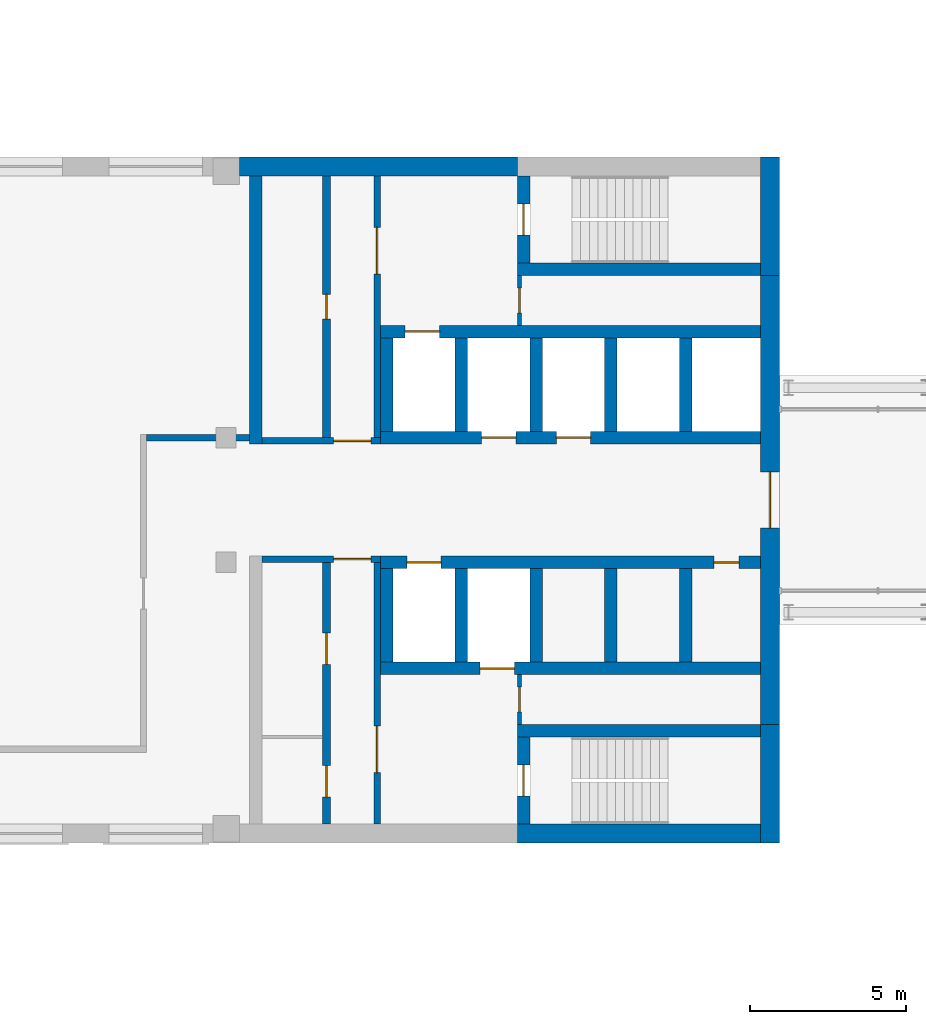
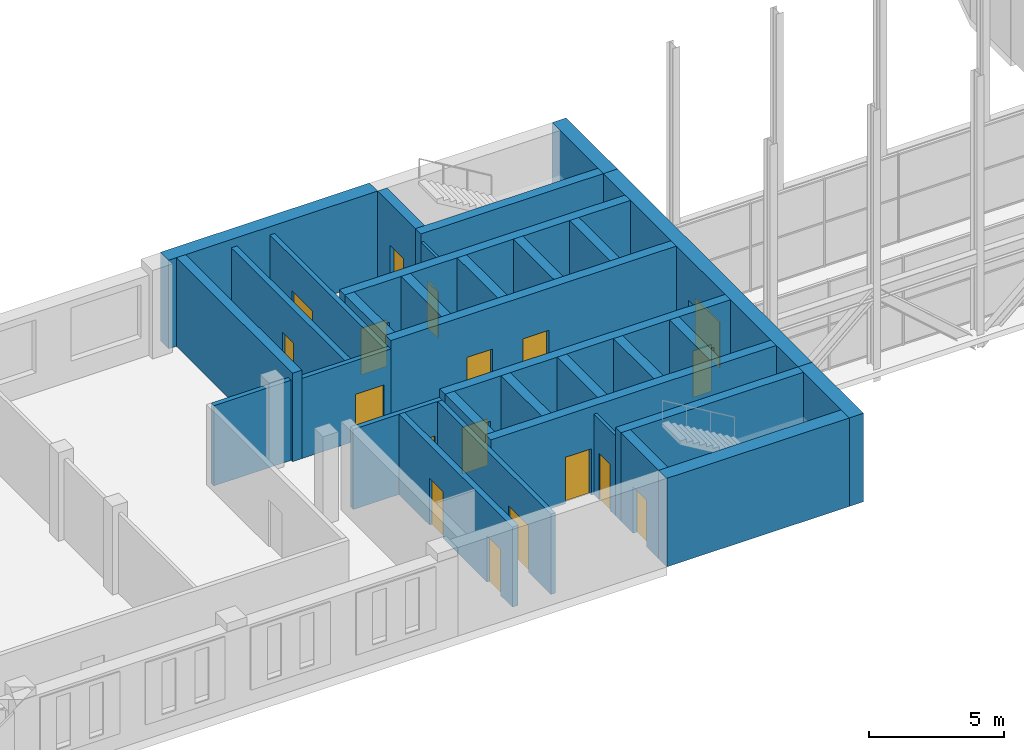
# One storey, part 7 of 11: 33 walls, 18 doors, 18 openings.
"""IFC4 building model written with IfcOpenShell, lengths in metres."""

from ifc_helpers import new_model, si_unit, direction, frame, frame_2d, origin, place, context, subcontext, project, spatial, rectangle, extrude, material, layer, layer_set, type_object, element, fill, save


model = new_model("IFC4")

# Units and contexts
model_context = context("Model", 3, precision=1e-05, world=origin(), true_north=direction((0.0, 1.0)))
body_context = subcontext(model_context, "Body", "Model", "MODEL_VIEW")
ifc_project = project(units=[si_unit("LENGTHUNIT", "METRE"), si_unit("AREAUNIT", "SQUARE_METRE"), si_unit("VOLUMEUNIT", "CUBIC_METRE"), si_unit("PLANEANGLEUNIT", "RADIAN"), si_unit("MASSUNIT", "GRAM", prefix="KILO")], contexts=[model_context])

# Site, building, storey
site_placement = place(None, origin())
site = spatial("IfcSite", under=ifc_project, at=site_placement, CompositionType="ELEMENT")
building_placement = place(site_placement, origin())
building = spatial("IfcBuilding", under=site, at=building_placement, Name="Skarvind Civic Tower", CompositionType="ELEMENT")
storey_placement = place(building_placement, frame((0.0, 0.0, 109.0)))
storey = spatial("IfcBuildingStorey", under=building, at=storey_placement, Name="L25", CompositionType="ELEMENT", Elevation=109.0)

# Wall, opening, door
ifc_material_1 = material(Name="Fire-rated masonry partition", Category="masonry")
ifc_layer_1 = layer(ifc_material_1, 0.199951171875)
ifc_layer_set_1 = layer_set([ifc_layer_1], Name="Core enclosure wall 200")
wall_type_1 = type_object("IfcWallType", Name="Core enclosure wall 200", PredefinedType="PARTITIONING", material=ifc_layer_set_1)
wall_1_placement = place(storey_placement, frame((95.199951171875, 126.10009765625, 0.0), z_axis=(0.0, 0.0, 1.0), x_axis=(-1.0, 0.0, 0.0)))
wall_1 = element("IfcWall", 1, at=wall_1_placement, inside=storey, type_object=wall_type_1, Name="Core wall C1", PredefinedType="PARTITIONING", context=body_context, shape_type="SweptSolid", body=[
    extrude(rectangle(XDim=3.800048828125, YDim=0.199951171875, at=frame_2d((1.89990234375, 0.0))), origin(), (0.0, 0.0, 1.0), 3.625),
])
opening_1_placement = place(wall_1_placement, frame((0.300048828125, 0.0, 0.0)))
opening_1 = element("IfcOpeningElement", 2, at=opening_1_placement, cuts=wall_1, Name="Opening D-L25-C1-05", PredefinedType="OPENING", context=body_context, shape_type="SweptSolid", body=[
    extrude(rectangle(XDim=1.199951171875, YDim=2.10009765625, at=frame_2d((0.60009765625, 1.050048828125))), frame((0.0, 0.10986328125, 0.0), z_axis=(0.0, -1.0, 0.0), x_axis=(1.0, 0.0, 0.0)), (0.0, 0.0, 1.0), 0.219970703125),
])
ifc_material_2 = material(Name="Fire-rated steel door", Category="steel")
door_type_1 = type_object("IfcDoorType", Name="Core lobby door 1200", OperationType="NOTDEFINED", PredefinedType="DOOR", material=ifc_material_2)
door_1_placement = place(opening_1_placement, origin())
door_1 = element("IfcDoor", 3, at=door_1_placement, inside=storey, type_object=door_type_1, Name="Fire door", OperationType="DOUBLE_DOOR_SINGLE_SWING", OverallHeight=2.10009765625, OverallWidth=1.199951171875, PredefinedType="DOOR", context=body_context, shape_type="SweptSolid", body=[
    extrude(rectangle(XDim=1.199951171875, YDim=2.10009765625, at=frame_2d((0.60009765625, 1.050048828125))), frame((0.0, 0.02490234375, 0.0), z_axis=(0.0, -1.0, 0.0), x_axis=(1.0, 0.0, 0.0)), (0.0, 0.0, 1.0), 0.050048828125),
])
fill(opening_1, door_1)

wall_2_placement = place(storey_placement, frame((95.10009765625, 117.60009765625, 0.0), z_axis=(0.0, 0.0, 1.0), x_axis=(0.0, 1.0, 0.0)))
wall_2 = element("IfcWall", 4, at=wall_2_placement, inside=storey, type_object=wall_type_1, Name="Core wall C1", PredefinedType="PARTITIONING", context=body_context, shape_type="SweptSolid", body=[
    extrude(rectangle(XDim=8.39990234375, YDim=0.199951171875, at=frame_2d((4.199951171875, 0.0))), origin(), (0.0, 0.0, 1.0), 3.625),
])
opening_2_placement = place(wall_2_placement, frame((1.64990234375, 0.0, 0.0)))
opening_2 = element("IfcOpeningElement", 5, at=opening_2_placement, cuts=wall_2, Name="Opening D-L25-C1-06", PredefinedType="OPENING", context=body_context, shape_type="SweptSolid", body=[
    extrude(rectangle(XDim=1.5, YDim=2.10009765625, at=frame_2d((0.75, 1.050048828125))), frame((0.0, 0.10986328125, 0.0), z_axis=(0.0, -1.0, 0.0), x_axis=(1.0, 0.0, 0.0)), (0.0, 0.0, 1.0), 0.219970703125),
])
door_type_2 = type_object("IfcDoorType", Name="Fire door 1500", OperationType="NOTDEFINED", PredefinedType="DOOR", material=ifc_material_2)
door_2_placement = place(opening_2_placement, origin())
door_2 = element("IfcDoor", 6, at=door_2_placement, inside=storey, type_object=door_type_2, Name="Fire door", OperationType="DOUBLE_DOOR_SINGLE_SWING", OverallHeight=2.10009765625, OverallWidth=1.5, PredefinedType="DOOR", context=body_context, shape_type="SweptSolid", body=[
    extrude(rectangle(XDim=1.5, YDim=2.10009765625, at=frame_2d((0.75, 1.050048828125))), frame((0.0, 0.02490234375, 0.0), z_axis=(0.0, -1.0, 0.0), x_axis=(1.0, 0.0, 0.0)), (0.0, 0.0, 1.0), 0.050048828125),
])
fill(opening_2, door_2)

wall_3_placement = place(storey_placement, frame((91.39990234375, 129.89990234375, 0.0), z_axis=(0.0, 0.0, 1.0), x_axis=(1.0, 0.0, 0.0)))
wall_3 = element("IfcWall", 7, at=wall_3_placement, inside=storey, type_object=wall_type_1, Name="Core wall C1", PredefinedType="PARTITIONING", context=body_context, shape_type="SweptSolid", body=[
    extrude(rectangle(XDim=3.800048828125, YDim=0.199951171875, at=frame_2d((1.89990234375, 0.0))), origin(), (0.0, 0.0, 1.0), 3.625),
])
opening_3_placement = place(wall_3_placement, frame((2.300048828125, 0.0, 0.0)))
opening_3 = element("IfcOpeningElement", 8, at=opening_3_placement, cuts=wall_3, Name="Opening D-L25-C1-11", PredefinedType="OPENING", context=body_context, shape_type="SweptSolid", body=[
    extrude(rectangle(XDim=1.199951171875, YDim=2.10009765625, at=frame_2d((0.60009765625, 1.050048828125))), frame((0.0, 0.10986328125, 0.0), z_axis=(0.0, -1.0, 0.0), x_axis=(1.0, 0.0, 0.0)), (0.0, 0.0, 1.0), 0.219970703125),
])
door_3_placement = place(opening_3_placement, origin())
door_3 = element("IfcDoor", 9, at=door_3_placement, inside=storey, type_object=door_type_1, Name="Fire door", OperationType="DOUBLE_DOOR_SINGLE_SWING", OverallHeight=2.10009765625, OverallWidth=1.199951171875, PredefinedType="DOOR", context=body_context, shape_type="SweptSolid", body=[
    extrude(rectangle(XDim=1.199951171875, YDim=2.10009765625, at=frame_2d((0.60009765625, 1.050048828125))), frame((0.0, 0.02490234375, 0.0), z_axis=(0.0, -1.0, 0.0), x_axis=(1.0, 0.0, 0.0)), (0.0, 0.0, 1.0), 0.050048828125),
])
fill(opening_3, door_3)

wall_4_placement = place(storey_placement, frame((95.10009765625, 130.0, 0.0), z_axis=(0.0, 0.0, 1.0), x_axis=(0.0, 1.0, 0.0)))
wall_4 = element("IfcWall", 10, at=wall_4_placement, inside=storey, type_object=wall_type_1, Name="Core wall C1", PredefinedType="PARTITIONING", context=body_context, shape_type="SweptSolid", body=[
    extrude(rectangle(XDim=8.39990234375, YDim=0.199951171875, at=frame_2d((4.199951171875, 0.0))), origin(), (0.0, 0.0, 1.0), 3.625),
])
opening_4_placement = place(wall_4_placement, frame((5.25, 0.0, 0.0)))
opening_4 = element("IfcOpeningElement", 11, at=opening_4_placement, cuts=wall_4, Name="Opening D-L25-C1-12", PredefinedType="OPENING", context=body_context, shape_type="SweptSolid", body=[
    extrude(rectangle(XDim=1.5, YDim=2.10009765625, at=frame_2d((0.75, 1.050048828125))), frame((0.0, 0.10986328125, 0.0), z_axis=(0.0, -1.0, 0.0), x_axis=(1.0, 0.0, 0.0)), (0.0, 0.0, 1.0), 0.219970703125),
])
door_4_placement = place(opening_4_placement, origin())
door_4 = element("IfcDoor", 12, at=door_4_placement, inside=storey, type_object=door_type_2, Name="Fire door", OperationType="DOUBLE_DOOR_SINGLE_SWING", OverallHeight=2.10009765625, OverallWidth=1.5, PredefinedType="DOOR", context=body_context, shape_type="SweptSolid", body=[
    extrude(rectangle(XDim=1.5, YDim=2.10009765625, at=frame_2d((0.75, 1.050048828125))), frame((0.0, 0.02490234375, 0.0), z_axis=(0.0, -1.0, 0.0), x_axis=(1.0, 0.0, 0.0)), (0.0, 0.0, 1.0), 0.050048828125),
])
fill(opening_4, door_4)

# Wall
ifc_material_3 = material(Name="Concrete C80", Category="concrete")
ifc_layer_2 = layer(ifc_material_3, 0.39990234375)
ifc_layer_set_2 = layer_set([ifc_layer_2], Name="Core wall 400 C80")
wall_type_2 = type_object("IfcWallType", Name="Core wall 400 C80", PredefinedType="SHEAR", material=ifc_layer_set_2)
wall_5_placement = place(storey_placement, frame((107.39990234375, 135.39990234375, 0.0), z_axis=(0.0, 0.0, 1.0), x_axis=(-1.0, 0.0, 0.0)))
element("IfcWall", 13, at=wall_5_placement, inside=storey, type_object=wall_type_2, Name="Core wall C1 south stair inner L25", PredefinedType="SHEAR", context=body_context, shape_type="SweptSolid", body=[
    extrude(rectangle(XDim=7.7998046875, YDim=0.39990234375, at=frame_2d((3.89990234375, 0.0))), origin(), (0.0, 0.0, 1.0), 4.0),
])

# Wall, opening, door
wall_6_placement = place(storey_placement, frame((99.800048828125, 138.39990234375, 0.0), z_axis=(0.0, 0.0, 1.0), x_axis=(0.0, -1.0, 0.0)))
wall_6 = element("IfcWall", 14, at=wall_6_placement, inside=storey, type_object=wall_type_2, Name="Core wall C1 south stair end L25", PredefinedType="SHEAR", context=body_context, shape_type="SweptSolid", body=[
    extrude(rectangle(XDim=2.7998046875, YDim=0.39990234375, at=frame_2d((1.39990234375, 0.0))), origin(), (0.0, 0.0, 1.0), 4.0),
])
opening_5_placement = place(wall_6_placement, frame((0.89990234375, 0.0, 0.0)))
opening_5 = element("IfcOpeningElement", 15, at=opening_5_placement, cuts=wall_6, Name="Opening D-L25-C1-13", PredefinedType="OPENING", context=body_context, shape_type="SweptSolid", body=[
    extrude(rectangle(XDim=1.0, YDim=2.10009765625, at=frame_2d((0.5, 1.050048828125))), frame((0.0, 0.2099609375, 0.0), z_axis=(0.0, -1.0, 0.0), x_axis=(1.0, 0.0, 0.0)), (0.0, 0.0, 1.0), 0.419921875),
])
door_type_3 = type_object("IfcDoorType", Name="Fire door 1000", OperationType="NOTDEFINED", PredefinedType="DOOR", material=ifc_material_2)
door_5_placement = place(opening_5_placement, origin())
door_5 = element("IfcDoor", 16, at=door_5_placement, inside=storey, type_object=door_type_3, Name="Fire door", OperationType="SINGLE_SWING_RIGHT", OverallHeight=2.10009765625, OverallWidth=1.0, PredefinedType="DOOR", context=body_context, shape_type="SweptSolid", body=[
    extrude(rectangle(XDim=1.0, YDim=2.10009765625, at=frame_2d((0.5, 1.050048828125))), frame((0.0, 0.02490234375, 0.0), z_axis=(0.0, -1.0, 0.0), x_axis=(1.0, 0.0, 0.0)), (0.0, 0.0, 1.0), 0.050048828125),
])
fill(opening_5, door_5)

# Wall
wall_7_placement = place(storey_placement, frame((107.39990234375, 120.60009765625, 0.0), z_axis=(0.0, 0.0, 1.0), x_axis=(-1.0, 0.0, 0.0)))
element("IfcWall", 17, at=wall_7_placement, inside=storey, type_object=wall_type_2, Name="Core wall C1 north stair inner L25", PredefinedType="SHEAR", context=body_context, shape_type="SweptSolid", body=[
    extrude(rectangle(XDim=7.7998046875, YDim=0.39990234375, at=frame_2d((3.89990234375, 0.0))), origin(), (0.0, 0.0, 1.0), 4.0),
])

# Wall, opening, door
wall_8_placement = place(storey_placement, frame((99.800048828125, 120.39990234375, 0.0), z_axis=(0.0, 0.0, 1.0), x_axis=(0.0, -1.0, 0.0)))
wall_8 = element("IfcWall", 18, at=wall_8_placement, inside=storey, type_object=wall_type_2, Name="Core wall C1 north stair end L25", PredefinedType="SHEAR", context=body_context, shape_type="SweptSolid", body=[
    extrude(rectangle(XDim=2.7998046875, YDim=0.39990234375, at=frame_2d((1.39990234375, 0.0))), origin(), (0.0, 0.0, 1.0), 4.0),
])
opening_6_placement = place(wall_8_placement, frame((0.89990234375, 0.0, 0.0)))
opening_6 = element("IfcOpeningElement", 19, at=opening_6_placement, cuts=wall_8, Name="Opening D-L25-C1-07", PredefinedType="OPENING", context=body_context, shape_type="SweptSolid", body=[
    extrude(rectangle(XDim=1.0, YDim=2.10009765625, at=frame_2d((0.5, 1.050048828125))), frame((0.0, 0.2099609375, 0.0), z_axis=(0.0, -1.0, 0.0), x_axis=(1.0, 0.0, 0.0)), (0.0, 0.0, 1.0), 0.419921875),
])
door_6_placement = place(opening_6_placement, origin())
door_6 = element("IfcDoor", 20, at=door_6_placement, inside=storey, type_object=door_type_3, Name="Fire door", OperationType="SINGLE_SWING_LEFT", OverallHeight=2.10009765625, OverallWidth=1.0, PredefinedType="DOOR", context=body_context, shape_type="SweptSolid", body=[
    extrude(rectangle(XDim=1.0, YDim=2.10009765625, at=frame_2d((0.5, 1.050048828125))), frame((0.0, 0.02490234375, 0.0), z_axis=(0.0, -1.0, 0.0), x_axis=(1.0, 0.0, 0.0)), (0.0, 0.0, 1.0), 0.050048828125),
])
fill(opening_6, door_6)

# Wall, openings, doors
wall_9_placement = place(storey_placement, frame((107.39990234375, 130.0, 0.0), z_axis=(0.0, 0.0, 1.0), x_axis=(-1.0, 0.0, 0.0)))
wall_9 = element("IfcWall", 21, at=wall_9_placement, inside=storey, type_object=wall_type_2, Name="Core wall C1 south lift row front L25", PredefinedType="SHEAR", context=body_context, shape_type="SweptSolid", body=[
    extrude(rectangle(XDim=12.199951171875, YDim=0.39990234375, at=frame_2d((6.10009765625, 0.0))), origin(), (0.0, 0.0, 1.0), 4.0),
])
opening_7_placement = place(wall_9_placement, frame((5.449951171875, 0.0, 0.0)))
opening_7 = element("IfcOpeningElement", 22, at=opening_7_placement, cuts=wall_9, Name="Opening LD27108", PredefinedType="OPENING", context=body_context, shape_type="SweptSolid", body=[
    extrude(rectangle(XDim=1.10009765625, YDim=2.10009765625, at=frame_2d((0.550048828125, 1.050048828125))), frame((0.0, 0.2099609375, 0.0), z_axis=(0.0, -1.0, 0.0), x_axis=(1.0, 0.0, 0.0)), (0.0, 0.0, 1.0), 0.419921875),
])
opening_8_placement = place(wall_9_placement, frame((7.85009765625, 0.0, 0.0)))
opening_8 = element("IfcOpeningElement", 23, at=opening_8_placement, cuts=wall_9, Name="Opening LD27109", PredefinedType="OPENING", context=body_context, shape_type="SweptSolid", body=[
    extrude(rectangle(XDim=1.10009765625, YDim=2.10009765625, at=frame_2d((0.550048828125, 1.050048828125))), frame((0.0, 0.2099609375, 0.0), z_axis=(0.0, -1.0, 0.0), x_axis=(1.0, 0.0, 0.0)), (0.0, 0.0, 1.0), 0.419921875),
])
ifc_material_4 = material(Name="Stainless steel landing door", Category="steel")
door_type_4 = type_object("IfcDoorType", Name="Lift landing door 1100", OperationType="DOUBLE_DOOR_SLIDING", PredefinedType="DOOR", material=ifc_material_4)
door_7_placement = place(opening_7_placement, origin())
door_7 = element("IfcDoor", 24, at=door_7_placement, inside=storey, type_object=door_type_4, Name="Lift landing door", OperationType="DOUBLE_DOOR_SLIDING", OverallHeight=2.10009765625, OverallWidth=1.10009765625, PredefinedType="DOOR", context=body_context, shape_type="SweptSolid", body=[
    extrude(rectangle(XDim=1.10009765625, YDim=2.10009765625, at=frame_2d((0.550048828125, 1.050048828125))), frame((0.0, 0.02490234375, 0.0), z_axis=(0.0, -1.0, 0.0), x_axis=(1.0, 0.0, 0.0)), (0.0, 0.0, 1.0), 0.050048828125),
])
fill(opening_7, door_7)
door_8_placement = place(opening_8_placement, origin())
door_8 = element("IfcDoor", 25, at=door_8_placement, inside=storey, type_object=door_type_4, Name="Lift landing door", OperationType="DOUBLE_DOOR_SLIDING", OverallHeight=2.10009765625, OverallWidth=1.10009765625, PredefinedType="DOOR", context=body_context, shape_type="SweptSolid", body=[
    extrude(rectangle(XDim=1.10009765625, YDim=2.10009765625, at=frame_2d((0.550048828125, 1.050048828125))), frame((0.0, 0.02490234375, 0.0), z_axis=(0.0, -1.0, 0.0), x_axis=(1.0, 0.0, 0.0)), (0.0, 0.0, 1.0), 0.050048828125),
])
fill(opening_8, door_8)

# Wall, opening, door
wall_10_placement = place(storey_placement, frame((107.39990234375, 133.39990234375, 0.0), z_axis=(0.0, 0.0, 1.0), x_axis=(-1.0, 0.0, 0.0)))
wall_10 = element("IfcWall", 26, at=wall_10_placement, inside=storey, type_object=wall_type_2, Name="Core wall C1 south lift row back L25", PredefinedType="SHEAR", context=body_context, shape_type="SweptSolid", body=[
    extrude(rectangle(XDim=12.199951171875, YDim=0.39990234375, at=frame_2d((6.10009765625, 0.0))), origin(), (0.0, 0.0, 1.0), 4.0),
])
opening_9_placement = place(wall_10_placement, frame((10.300048828125, 0.0, 0.0)))
opening_9 = element("IfcOpeningElement", 27, at=opening_9_placement, cuts=wall_10, Name="Opening LD27110", PredefinedType="OPENING", context=body_context, shape_type="SweptSolid", body=[
    extrude(rectangle(XDim=1.10009765625, YDim=2.10009765625, at=frame_2d((0.550048828125, 1.050048828125))), frame((0.0, 0.2099609375, 0.0), z_axis=(0.0, -1.0, 0.0), x_axis=(1.0, 0.0, 0.0)), (0.0, 0.0, 1.0), 0.419921875),
])
door_9_placement = place(opening_9_placement, origin())
door_9 = element("IfcDoor", 28, at=door_9_placement, inside=storey, type_object=door_type_4, Name="Lift landing door", OperationType="DOUBLE_DOOR_SLIDING", OverallHeight=2.10009765625, OverallWidth=1.10009765625, PredefinedType="DOOR", context=body_context, shape_type="SweptSolid", body=[
    extrude(rectangle(XDim=1.10009765625, YDim=2.10009765625, at=frame_2d((0.550048828125, 1.050048828125))), frame((0.0, 0.02490234375, 0.0), z_axis=(0.0, -1.0, 0.0), x_axis=(1.0, 0.0, 0.0)), (0.0, 0.0, 1.0), 0.050048828125),
])
fill(opening_9, door_9)

# Walls
for number, where, z_axis, x_axis, name in (
    (29, (105.0, 133.199951171875, 0.0), (0.0, 0.0, 1.0), (0.0, -1.0, 0.0), "Core wall C1 south lift row division 1 L25"),
    (30, (102.60009765625, 133.199951171875, 0.0), (0.0, 0.0, 1.0), (0.0, -1.0, 0.0), "Core wall C1 south lift row division 2 L25"),
    (31, (100.199951171875, 133.199951171875, 0.0), (0.0, 0.0, 1.0), (0.0, -1.0, 0.0), "Core wall C1 south lift row division 3 L25"),
    (32, (97.800048828125, 133.199951171875, 0.0), (0.0, 0.0, 1.0), (0.0, -1.0, 0.0), "Core wall C1 south lift row division 4 L25"),
    (33, (95.39990234375, 133.199951171875, 0.0), (0.0, 0.0, 1.0), (0.0, -1.0, 0.0), "Core wall C1 south lift row division 5 L25"),
):
    element("IfcWall", number, at=place(storey_placement, frame(where, z_axis=z_axis, x_axis=x_axis)), inside=storey, type_object=wall_type_2, Name=name, PredefinedType="SHEAR", context=body_context, shape_type="SweptSolid", body=[
        extrude(rectangle(XDim=3.0, YDim=0.39990234375, at=frame_2d((1.5, 0.0))), origin(), (0.0, 0.0, 1.0), 4.0),
    ])

# Wall, openings, doors
wall_11_placement = place(storey_placement, frame((107.39990234375, 126.0, 0.0), z_axis=(0.0, 0.0, 1.0), x_axis=(-1.0, 0.0, 0.0)))
wall_11 = element("IfcWall", 34, at=wall_11_placement, inside=storey, type_object=wall_type_2, Name="Core wall C1 north lift row front L25", PredefinedType="SHEAR", context=body_context, shape_type="SweptSolid", body=[
    extrude(rectangle(XDim=12.199951171875, YDim=0.39990234375, at=frame_2d((6.10009765625, 0.0))), origin(), (0.0, 0.0, 1.0), 4.0),
])
opening_10_placement = place(wall_11_placement, frame((10.25, 0.0, 0.0)))
opening_10 = element("IfcOpeningElement", 35, at=opening_10_placement, cuts=wall_11, Name="Opening LD27105", PredefinedType="OPENING", context=body_context, shape_type="SweptSolid", body=[
    extrude(rectangle(XDim=1.10009765625, YDim=2.10009765625, at=frame_2d((0.550048828125, 1.050048828125))), frame((0.0, 0.2099609375, 0.0), z_axis=(0.0, -1.0, 0.0), x_axis=(1.0, 0.0, 0.0)), (0.0, 0.0, 1.0), 0.419921875),
])
opening_11_placement = place(wall_11_placement, frame((0.699951171875, 0.0, 0.0)))
opening_11 = element("IfcOpeningElement", 36, at=opening_11_placement, cuts=wall_11, Name="Opening D-L25-C1-04", PredefinedType="OPENING", context=body_context, shape_type="SweptSolid", body=[
    extrude(rectangle(XDim=0.800048828125, YDim=2.10009765625, at=frame_2d((0.39990234375, 1.050048828125))), frame((0.0, 0.2099609375, 0.0), z_axis=(0.0, -1.0, 0.0), x_axis=(1.0, 0.0, 0.0)), (0.0, 0.0, 1.0), 0.419921875),
])
door_type_5 = type_object("IfcDoorType", Name="Core riser door 800", OperationType="NOTDEFINED", PredefinedType="DOOR", material=ifc_material_2)
door_10_placement = place(opening_11_placement, origin())
door_10 = element("IfcDoor", 37, at=door_10_placement, inside=storey, type_object=door_type_5, Name="Riser door", OperationType="SINGLE_SWING_LEFT", OverallHeight=2.10009765625, OverallWidth=0.800048828125, PredefinedType="DOOR", context=body_context, shape_type="SweptSolid", body=[
    extrude(rectangle(XDim=0.800048828125, YDim=2.10009765625, at=frame_2d((0.39990234375, 1.050048828125))), frame((0.0, 0.02490234375, 0.0), z_axis=(0.0, -1.0, 0.0), x_axis=(1.0, 0.0, 0.0)), (0.0, 0.0, 1.0), 0.050048828125),
])
fill(opening_11, door_10)
door_11_placement = place(opening_10_placement, origin())
door_11 = element("IfcDoor", 38, at=door_11_placement, inside=storey, type_object=door_type_4, Name="Lift landing door", OperationType="DOUBLE_DOOR_SLIDING", OverallHeight=2.10009765625, OverallWidth=1.10009765625, PredefinedType="DOOR", context=body_context, shape_type="SweptSolid", body=[
    extrude(rectangle(XDim=1.10009765625, YDim=2.10009765625, at=frame_2d((0.550048828125, 1.050048828125))), frame((0.0, 0.02490234375, 0.0), z_axis=(0.0, -1.0, 0.0), x_axis=(1.0, 0.0, 0.0)), (0.0, 0.0, 1.0), 0.050048828125),
])
fill(opening_10, door_11)

# Wall, opening, door
wall_12_placement = place(storey_placement, frame((107.39990234375, 122.60009765625, 0.0), z_axis=(0.0, 0.0, 1.0), x_axis=(-1.0, 0.0, 0.0)))
wall_12 = element("IfcWall", 39, at=wall_12_placement, inside=storey, type_object=wall_type_2, Name="Core wall C1 north lift row back L25", PredefinedType="SHEAR", context=body_context, shape_type="SweptSolid", body=[
    extrude(rectangle(XDim=12.199951171875, YDim=0.39990234375, at=frame_2d((6.10009765625, 0.0))), origin(), (0.0, 0.0, 1.0), 4.0),
])
opening_12_placement = place(wall_12_placement, frame((7.89990234375, 0.0, 0.0)))
opening_12 = element("IfcOpeningElement", 40, at=opening_12_placement, cuts=wall_12, Name="Opening LD27104", PredefinedType="OPENING", context=body_context, shape_type="SweptSolid", body=[
    extrude(rectangle(XDim=1.10009765625, YDim=2.10009765625, at=frame_2d((0.550048828125, 1.050048828125))), frame((0.0, 0.2099609375, 0.0), z_axis=(0.0, -1.0, 0.0), x_axis=(1.0, 0.0, 0.0)), (0.0, 0.0, 1.0), 0.419921875),
])
door_12_placement = place(opening_12_placement, origin())
door_12 = element("IfcDoor", 41, at=door_12_placement, inside=storey, type_object=door_type_4, Name="Lift landing door", OperationType="DOUBLE_DOOR_SLIDING", OverallHeight=2.10009765625, OverallWidth=1.10009765625, PredefinedType="DOOR", context=body_context, shape_type="SweptSolid", body=[
    extrude(rectangle(XDim=1.10009765625, YDim=2.10009765625, at=frame_2d((0.550048828125, 1.050048828125))), frame((0.0, 0.02490234375, 0.0), z_axis=(0.0, -1.0, 0.0), x_axis=(1.0, 0.0, 0.0)), (0.0, 0.0, 1.0), 0.050048828125),
])
fill(opening_12, door_12)

# Walls
for number, where, z_axis, x_axis, name in (
    (42, (105.0, 125.800048828125, 0.0), (0.0, 0.0, 1.0), (0.0, -1.0, 0.0), "Core wall C1 north lift row division 1 L25"),
    (43, (102.60009765625, 125.800048828125, 0.0), (0.0, 0.0, 1.0), (0.0, -1.0, 0.0), "Core wall C1 north lift row division 2 L25"),
    (44, (100.199951171875, 125.800048828125, 0.0), (0.0, 0.0, 1.0), (0.0, -1.0, 0.0), "Core wall C1 north lift row division 3 L25"),
    (45, (97.800048828125, 125.800048828125, 0.0), (0.0, 0.0, 1.0), (0.0, -1.0, 0.0), "Core wall C1 north lift row division 4 L25"),
    (46, (95.39990234375, 125.800048828125, 0.0), (0.0, 0.0, 1.0), (0.0, -1.0, 0.0), "Core wall C1 north lift row division 5 L25"),
):
    element("IfcWall", number, at=place(storey_placement, frame(where, z_axis=z_axis, x_axis=x_axis)), inside=storey, type_object=wall_type_2, Name=name, PredefinedType="SHEAR", context=body_context, shape_type="SweptSolid", body=[
        extrude(rectangle(XDim=3.0, YDim=0.39990234375, at=frame_2d((1.5, 0.0))), origin(), (0.0, 0.0, 1.0), 4.0),
    ])
wall_13_placement = place(storey_placement, frame((91.199951171875, 138.39990234375, 0.0), z_axis=(0.0, 0.0, 1.0), x_axis=(0.0, -1.0, 0.0)))
element("IfcWall", 47, at=wall_13_placement, inside=storey, type_object=wall_type_2, Name="Core wall C1 south inner face L25", PredefinedType="SHEAR", context=body_context, shape_type="SweptSolid", body=[
    extrude(rectangle(XDim=8.599853515625, YDim=0.39990234375, at=frame_2d((4.2998046875, 0.0))), origin(), (0.0, 0.0, 1.0), 4.0),
])
ifc_layer_3 = layer(ifc_material_3, 0.60009765625)
ifc_layer_set_3 = layer_set([ifc_layer_3], Name="Core wall 600 C80")
wall_type_3 = type_object("IfcWallType", Name="Core wall 600 C80", PredefinedType="SHEAR", material=ifc_layer_set_3)
wall_14_placement = place(storey_placement, frame((107.699951171875, 139.0, 0.0), z_axis=(0.0, 0.0, 1.0), x_axis=(0.0, -1.0, 0.0)))
element("IfcWall", 48, at=wall_14_placement, inside=storey, type_object=wall_type_3, Name="Core wall C1 tip at the south stair L25", PredefinedType="SHEAR", context=body_context, shape_type="SweptSolid", body=[
    extrude(rectangle(XDim=3.800048828125, YDim=0.60009765625, at=frame_2d((1.89990234375, 0.0))), origin(), (0.0, 0.0, 1.0), 4.0),
])

# Wall, opening, door
wall_15_placement = place(storey_placement, frame((107.699951171875, 135.199951171875, 0.0), z_axis=(0.0, 0.0, 1.0), x_axis=(0.0, -1.0, 0.0)))
wall_15 = element("IfcWall", 49, at=wall_15_placement, inside=storey, type_object=wall_type_3, Name="Core wall C1 tip between the stairs L25", PredefinedType="SHEAR", context=body_context, shape_type="SweptSolid", body=[
    extrude(rectangle(XDim=14.39990234375, YDim=0.60009765625, at=frame_2d((7.199951171875, 0.0))), origin(), (0.0, 0.0, 1.0), 4.0),
])
opening_13_placement = place(wall_15_placement, frame((6.300048828125, 0.0, 0.0)))
opening_13 = element("IfcOpeningElement", 50, at=opening_13_placement, cuts=wall_15, Name="Opening D-L25-C1-18", PredefinedType="OPENING", context=body_context, shape_type="SweptSolid", body=[
    extrude(rectangle(XDim=1.800048828125, YDim=2.10009765625, at=frame_2d((0.89990234375, 1.050048828125))), frame((0.0, 0.31005859375, 0.0), z_axis=(0.0, -1.0, 0.0), x_axis=(1.0, 0.0, 0.0)), (0.0, 0.0, 1.0), 0.6201171875),
])
door_type_6 = type_object("IfcDoorType", Name="Fire door pair 1800", OperationType="NOTDEFINED", PredefinedType="DOOR", material=ifc_material_2)
door_13_placement = place(opening_13_placement, origin())
door_13 = element("IfcDoor", 51, at=door_13_placement, inside=storey, type_object=door_type_6, Name="Bridge door", OperationType="DOUBLE_DOOR_SINGLE_SWING", OverallHeight=2.10009765625, OverallWidth=1.800048828125, PredefinedType="DOOR", context=body_context, shape_type="SweptSolid", body=[
    extrude(rectangle(XDim=1.800048828125, YDim=2.10009765625, at=frame_2d((0.89990234375, 1.050048828125))), frame((0.0, 0.02490234375, 0.0), z_axis=(0.0, -1.0, 0.0), x_axis=(1.0, 0.0, 0.0)), (0.0, 0.0, 1.0), 0.050048828125),
])
fill(opening_13, door_13)

# Walls
wall_16_placement = place(storey_placement, frame((107.699951171875, 120.800048828125, 0.0), z_axis=(0.0, 0.0, 1.0), x_axis=(0.0, -1.0, 0.0)))
element("IfcWall", 52, at=wall_16_placement, inside=storey, type_object=wall_type_3, Name="Core wall C1 tip at the north stair L25", PredefinedType="SHEAR", context=body_context, shape_type="SweptSolid", body=[
    extrude(rectangle(XDim=3.800048828125, YDim=0.60009765625, at=frame_2d((1.89990234375, 0.0))), origin(), (0.0, 0.0, 1.0), 4.0),
])
wall_17_placement = place(storey_placement, frame((107.39990234375, 117.300048828125, 0.0), z_axis=(0.0, 0.0, 1.0), x_axis=(-1.0, 0.0, 0.0)))
element("IfcWall", 53, at=wall_17_placement, inside=storey, type_object=wall_type_3, Name="Core wall C1 north side at the stair L25", PredefinedType="SHEAR", context=body_context, shape_type="SweptSolid", body=[
    extrude(rectangle(XDim=7.7998046875, YDim=0.60009765625, at=frame_2d((3.89990234375, 0.0))), origin(), (0.0, 0.0, 1.0), 4.0),
])
wall_18_placement = place(storey_placement, frame((99.60009765625, 138.699951171875, 0.0), z_axis=(0.0, 0.0, 1.0), x_axis=(-1.0, 0.0, 0.0)))
element("IfcWall", 54, at=wall_18_placement, inside=storey, type_object=wall_type_3, Name="Core wall C1 south side L25", PredefinedType="SHEAR", context=body_context, shape_type="SweptSolid", body=[
    extrude(rectangle(XDim=8.925048828125, YDim=0.60009765625, at=frame_2d((4.46240234375, 0.0))), origin(), (0.0, 0.0, 1.0), 4.0),
])
ifc_material_5 = material(Name="Fire-rated blockwork wall, plastered", Category="masonry")
ifc_layer_4 = layer(ifc_material_5, 0.199951171875)
ifc_layer_set_4 = layer_set([ifc_layer_4], Name="FIRE WALL 200 EI 60")
wall_type_4 = type_object("IfcWallType", Name="FIRE WALL 200 EI 60", PredefinedType="PARTITIONING", material=ifc_layer_set_4)
wall_19_placement = place(storey_placement, frame((87.699951171875, 130.0, 0.0), z_axis=(0.0, 0.0, 1.0), x_axis=(1.0, 0.0, 0.0)))
element("IfcWall", 55, at=wall_19_placement, inside=storey, type_object=wall_type_4, Name="Portal partition L25 022", PredefinedType="PARTITIONING", context=body_context, shape_type="SweptSolid", body=[
    extrude(rectangle(XDim=3.300048828125, YDim=0.199951171875, at=frame_2d((1.64990234375, 0.0))), origin(), (0.0, 0.0, 1.0), 3.625),
])

# Wall, opening, door
ifc_layer_5 = layer(ifc_material_1, 0.125)
ifc_layer_set_5 = layer_set([ifc_layer_5], Name="Riser wall 125")
wall_type_5 = type_object("IfcWallType", Name="Riser wall 125", PredefinedType="PARTITIONING", material=ifc_layer_set_5)
wall_20_placement = place(storey_placement, frame((99.66259765625, 120.800048828125, 0.0), z_axis=(0.0, 0.0, 1.0), x_axis=(0.0, 1.0, 0.0)))
wall_20 = element("IfcWall", 56, at=wall_20_placement, inside=storey, type_object=wall_type_5, Name="Core wall C1", PredefinedType="PARTITIONING", context=body_context, shape_type="SweptSolid", body=[
    extrude(rectangle(XDim=1.599853515625, YDim=0.125, at=frame_2d((0.7998046875, 0.0))), origin(), (0.0, 0.0, 1.0), 3.625),
])
opening_14_placement = place(wall_20_placement, frame((0.39990234375, 0.0, 0.0)))
opening_14 = element("IfcOpeningElement", 57, at=opening_14_placement, cuts=wall_20, Name="Opening D-L25-C1-08", PredefinedType="OPENING", context=body_context, shape_type="SweptSolid", body=[
    extrude(rectangle(XDim=0.800048828125, YDim=2.10009765625, at=frame_2d((0.39990234375, 1.050048828125))), frame((0.0, 0.072509765625, 0.0), z_axis=(0.0, -1.0, 0.0), x_axis=(1.0, 0.0, 0.0)), (0.0, 0.0, 1.0), 0.14501953125),
])
door_14_placement = place(opening_14_placement, origin())
door_14 = element("IfcDoor", 58, at=door_14_placement, inside=storey, type_object=door_type_5, Name="Riser door", OperationType="SINGLE_SWING_RIGHT", OverallHeight=2.10009765625, OverallWidth=0.800048828125, PredefinedType="DOOR", context=body_context, shape_type="SweptSolid", body=[
    extrude(rectangle(XDim=0.800048828125, YDim=2.10009765625, at=frame_2d((0.39990234375, 1.050048828125))), frame((0.0, 0.02490234375, 0.0), z_axis=(0.0, -1.0, 0.0), x_axis=(1.0, 0.0, 0.0)), (0.0, 0.0, 1.0), 0.050048828125),
])
fill(opening_14, door_14)

wall_21_placement = place(storey_placement, frame((99.66259765625, 133.60009765625, 0.0), z_axis=(0.0, 0.0, 1.0), x_axis=(0.0, 1.0, 0.0)))
wall_21 = element("IfcWall", 59, at=wall_21_placement, inside=storey, type_object=wall_type_5, Name="Core wall C1", PredefinedType="PARTITIONING", context=body_context, shape_type="SweptSolid", body=[
    extrude(rectangle(XDim=1.599853515625, YDim=0.125, at=frame_2d((0.7998046875, 0.0))), origin(), (0.0, 0.0, 1.0), 3.625),
])
opening_15_placement = place(wall_21_placement, frame((0.39990234375, 0.0, 0.0)))
opening_15 = element("IfcOpeningElement", 60, at=opening_15_placement, cuts=wall_21, Name="Opening D-L25-C1-14", PredefinedType="OPENING", context=body_context, shape_type="SweptSolid", body=[
    extrude(rectangle(XDim=0.800048828125, YDim=2.10009765625, at=frame_2d((0.39990234375, 1.050048828125))), frame((0.0, 0.072509765625, 0.0), z_axis=(0.0, -1.0, 0.0), x_axis=(1.0, 0.0, 0.0)), (0.0, 0.0, 1.0), 0.14501953125),
])
door_15_placement = place(opening_15_placement, origin())
door_15 = element("IfcDoor", 61, at=door_15_placement, inside=storey, type_object=door_type_5, Name="Riser door", OperationType="SINGLE_SWING_LEFT", OverallHeight=2.10009765625, OverallWidth=0.800048828125, PredefinedType="DOOR", context=body_context, shape_type="SweptSolid", body=[
    extrude(rectangle(XDim=0.800048828125, YDim=2.10009765625, at=frame_2d((0.39990234375, 1.050048828125))), frame((0.0, 0.02490234375, 0.0), z_axis=(0.0, -1.0, 0.0), x_axis=(1.0, 0.0, 0.0)), (0.0, 0.0, 1.0), 0.050048828125),
])
fill(opening_15, door_15)

# Wall, openings, doors
ifc_layer_6 = layer(ifc_material_1, 0.25)
ifc_layer_set_6 = layer_set([ifc_layer_6], Name="Service block wall 250")
wall_type_6 = type_object("IfcWallType", Name="Service block wall 250", PredefinedType="PARTITIONING", material=ifc_layer_set_6)
wall_22_placement = place(storey_placement, frame((93.47509765625, 117.60009765625, 0.0), z_axis=(0.0, 0.0, 1.0), x_axis=(0.0, 1.0, 0.0)))
wall_22 = element("IfcWall", 62, at=wall_22_placement, inside=storey, type_object=wall_type_6, Name="Core wall C1", PredefinedType="PARTITIONING", context=body_context, shape_type="SweptSolid", body=[
    extrude(rectangle(XDim=8.39990234375, YDim=0.25, at=frame_2d((4.199951171875, 0.0))), origin(), (0.0, 0.0, 1.0), 3.625),
])
opening_16_placement = place(wall_22_placement, frame((5.125, 0.0, 0.0)))
opening_16 = element("IfcOpeningElement", 63, at=opening_16_placement, cuts=wall_22, Name="Opening D-L25-C1-09", PredefinedType="OPENING", context=body_context, shape_type="SweptSolid", body=[
    extrude(rectangle(XDim=1.0, YDim=2.10009765625, at=frame_2d((0.5, 1.050048828125))), frame((0.0, 0.135009765625, 0.0), z_axis=(0.0, -1.0, 0.0), x_axis=(1.0, 0.0, 0.0)), (0.0, 0.0, 1.0), 0.27001953125),
])
opening_17_placement = place(wall_22_placement, frame((0.875, 0.0, 0.0)))
opening_17 = element("IfcOpeningElement", 64, at=opening_17_placement, cuts=wall_22, Name="Opening D-L25-C1-10", PredefinedType="OPENING", context=body_context, shape_type="SweptSolid", body=[
    extrude(rectangle(XDim=1.0, YDim=2.10009765625, at=frame_2d((0.5, 1.050048828125))), frame((0.0, 0.135009765625, 0.0), z_axis=(0.0, -1.0, 0.0), x_axis=(1.0, 0.0, 0.0)), (0.0, 0.0, 1.0), 0.27001953125),
])
door_16_placement = place(opening_16_placement, origin())
door_16 = element("IfcDoor", 65, at=door_16_placement, inside=storey, type_object=door_type_3, Name="Fire door", OperationType="SINGLE_SWING_LEFT", OverallHeight=2.10009765625, OverallWidth=1.0, PredefinedType="DOOR", context=body_context, shape_type="SweptSolid", body=[
    extrude(rectangle(XDim=1.0, YDim=2.10009765625, at=frame_2d((0.5, 1.050048828125))), frame((0.0, 0.02490234375, 0.0), z_axis=(0.0, -1.0, 0.0), x_axis=(1.0, 0.0, 0.0)), (0.0, 0.0, 1.0), 0.050048828125),
])
fill(opening_16, door_16)
door_17_placement = place(opening_17_placement, origin())
door_17 = element("IfcDoor", 66, at=door_17_placement, inside=storey, type_object=door_type_3, Name="Fire door", OperationType="SINGLE_SWING_RIGHT", OverallHeight=2.10009765625, OverallWidth=1.0, PredefinedType="DOOR", context=body_context, shape_type="SweptSolid", body=[
    extrude(rectangle(XDim=1.0, YDim=2.10009765625, at=frame_2d((0.5, 1.050048828125))), frame((0.0, 0.02490234375, 0.0), z_axis=(0.0, -1.0, 0.0), x_axis=(1.0, 0.0, 0.0)), (0.0, 0.0, 1.0), 0.050048828125),
])
fill(opening_17, door_17)

# Wall, opening, door
wall_23_placement = place(storey_placement, frame((93.47509765625, 130.0, 0.0), z_axis=(0.0, 0.0, 1.0), x_axis=(0.0, 1.0, 0.0)))
wall_23 = element("IfcWall", 67, at=wall_23_placement, inside=storey, type_object=wall_type_6, Name="Core wall C1", PredefinedType="PARTITIONING", context=body_context, shape_type="SweptSolid", body=[
    extrude(rectangle(XDim=8.39990234375, YDim=0.25, at=frame_2d((4.199951171875, 0.0))), origin(), (0.0, 0.0, 1.0), 3.625),
])
opening_18_placement = place(wall_23_placement, frame((3.800048828125, 0.0, 0.0)))
opening_18 = element("IfcOpeningElement", 68, at=opening_18_placement, cuts=wall_23, Name="Opening D-L25-C1-15", PredefinedType="OPENING", context=body_context, shape_type="SweptSolid", body=[
    extrude(rectangle(XDim=0.800048828125, YDim=2.10009765625, at=frame_2d((0.39990234375, 1.050048828125))), frame((0.0, 0.135009765625, 0.0), z_axis=(0.0, -1.0, 0.0), x_axis=(1.0, 0.0, 0.0)), (0.0, 0.0, 1.0), 0.27001953125),
])
door_18_placement = place(opening_18_placement, origin())
door_18 = element("IfcDoor", 69, at=door_18_placement, inside=storey, type_object=door_type_5, Name="Riser door", OperationType="SINGLE_SWING_RIGHT", OverallHeight=2.10009765625, OverallWidth=0.800048828125, PredefinedType="DOOR", context=body_context, shape_type="SweptSolid", body=[
    extrude(rectangle(XDim=0.800048828125, YDim=2.10009765625, at=frame_2d((0.39990234375, 1.050048828125))), frame((0.0, 0.02490234375, 0.0), z_axis=(0.0, -1.0, 0.0), x_axis=(1.0, 0.0, 0.0)), (0.0, 0.0, 1.0), 0.050048828125),
])
fill(opening_18, door_18)

save(model, "model.ifc")
